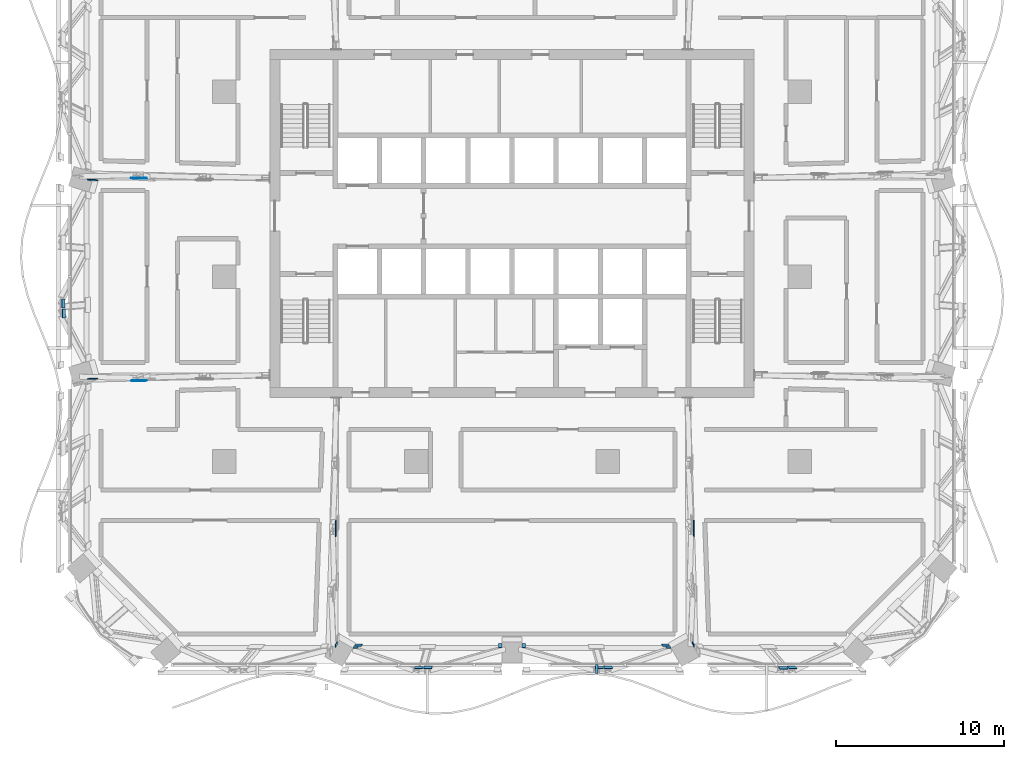
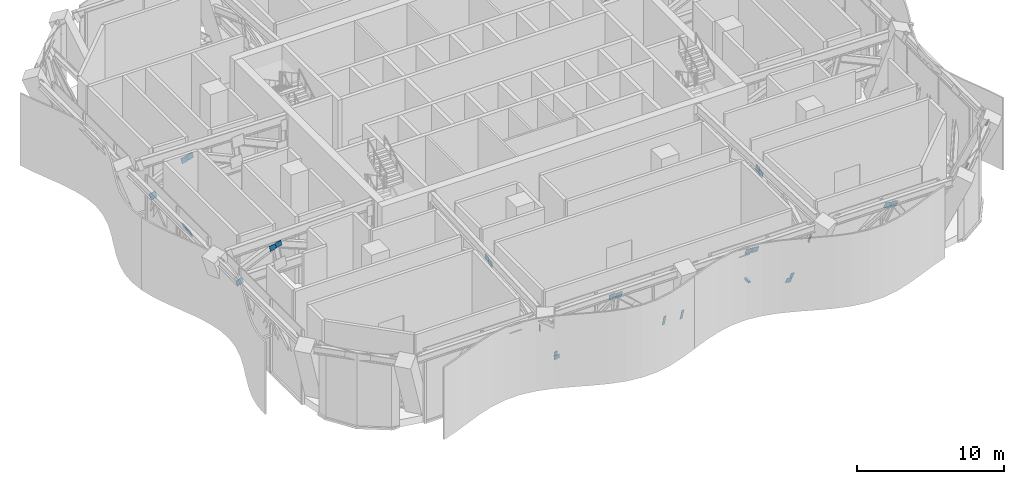
# One storey, part 17 of 26: 27 discrete accessories.
"""IFC4 building model written with IfcOpenShell, lengths in metres."""

from ifc_helpers import new_model, si_unit, direction, frame, origin, origin_2d, place, context, subcontext, project, spatial, rectangle, extrude, material, layer, layer_set, type_object, element, save


model = new_model("IFC4")

# Units and contexts
model_context = context("Model", 3, precision=1e-05, world=origin(), true_north=direction((0.0, 1.0)))
body_context = subcontext(model_context, "Body", "Model", "MODEL_VIEW")
ifc_project = project(units=[si_unit("LENGTHUNIT", "METRE"), si_unit("AREAUNIT", "SQUARE_METRE"), si_unit("VOLUMEUNIT", "CUBIC_METRE"), si_unit("PLANEANGLEUNIT", "RADIAN"), si_unit("MASSUNIT", "GRAM", prefix="KILO")], contexts=[model_context])

# Site, building, storey
site_placement = place(None, origin())
site = spatial("IfcSite", under=ifc_project, at=site_placement, CompositionType="ELEMENT")
building_placement = place(site_placement, origin())
building = spatial("IfcBuilding", under=site, at=building_placement, Name="Mopane Tessera Tower", CompositionType="ELEMENT")
storey_placement = place(building_placement, frame((0.0, 0.0, 205.0)))
storey = spatial("IfcBuildingStorey", under=building, at=storey_placement, Name="L43", CompositionType="ELEMENT", Elevation=205.0)

# Discrete accessories
ifc_material_1 = material(Name="Stainless steel S316", Category="steel")
discrete_accessory_type_1 = type_object("IfcDiscreteAccessoryType", Name="Louvre bracket 150 x 150", PredefinedType="BRACKET", material=ifc_material_1)
discrete_accessory_1_placement = place(storey_placement, frame((5.050048828125, -23.339111328125, 2.51513671875), z_axis=(0.0, 0.0, 1.0), x_axis=(0.0, -1.0, 0.0)))
element("IfcDiscreteAccessory", 1, at=discrete_accessory_1_placement, inside=storey, type_object=discrete_accessory_type_1, Name="e:lv:L43:S:1:br0", PredefinedType="BRACKET", context=body_context, shape_type="SweptSolid", body=[
    extrude(rectangle(XDim=0.558349609375, YDim=0.14990234375, at=origin_2d()), origin(), (0.0, 0.0, 1.0), 0.14990234375),
])
ifc_material_2 = material(Name="Structural steel S460", Category="steel")
ifc_layer = layer(ifc_material_2, 0.030029296875)
ifc_layer_set = layer_set([ifc_layer], Name="Structural steel S460")
discrete_accessory_type_2 = type_object("IfcDiscreteAccessoryType", Name="Truss node plate 30 mm", PredefinedType="BRACKET", material=ifc_layer_set)
discrete_accessory_2_placement = place(storey_placement, frame((-21.903564453125, 5.8427734375, 4.43115234375), z_axis=(-0.199509091493, 0.058124695947, 0.978170558815), x_axis=(-0.014618628734, -0.998304643155, 0.056339463513)))
element("IfcDiscreteAccessory", 2, at=discrete_accessory_2_placement, inside=storey, type_object=discrete_accessory_type_2, Name="Truss node plate s ot L43 W1 4", PredefinedType="BRACKET", context=body_context, shape_type="SweptSolid", body=[
    extrude(rectangle(XDim=0.030029296875, YDim=0.4560546875, at=origin_2d()), origin(), (0.0, 0.0, 1.0), 0.46630859375),
])
discrete_accessory_3_placement = place(storey_placement, frame((-22.36669921875, 5.843505859375, 4.299072265625), z_axis=(-0.211975880606, 0.062130861557, 0.975297894022), x_axis=(-0.017730030888, -0.998057266284, 0.059727206717)))
element("IfcDiscreteAccessory", 3, at=discrete_accessory_3_placement, inside=storey, type_object=discrete_accessory_type_2, Name="Truss node plate s ot L43 W1 6", PredefinedType="BRACKET", context=body_context, shape_type="SweptSolid", body=[
    extrude(rectangle(XDim=0.030029296875, YDim=0.4560546875, at=origin_2d()), origin(), (0.0, 0.0, 1.0), 0.467529296875),
])
discrete_accessory_4_placement = place(storey_placement, frame((-24.858154296875, 5.7177734375, 2.251708984375), z_axis=(-0.287881919859, 0.083946550323, 0.953979547426), x_axis=(-0.027359548398, -0.996465009837, 0.07942883155)))
element("IfcDiscreteAccessory", 4, at=discrete_accessory_4_placement, inside=storey, type_object=discrete_accessory_type_2, Name="Truss node plate s ot L43 W1 7", PredefinedType="BRACKET", context=body_context, shape_type="SweptSolid", body=[
    extrude(rectangle(XDim=0.030029296875, YDim=0.489990234375, at=origin_2d()), origin(), (0.0, 0.0, 1.0), 0.53515625),
])
discrete_accessory_5_placement = place(storey_placement, frame((-21.902587890625, -6.17578125, 4.43115234375), z_axis=(-0.199006209983, -0.058130761337, 0.978272632232), x_axis=(0.015297414966, -0.998301824615, -0.056209038996)))
element("IfcDiscreteAccessory", 5, at=discrete_accessory_5_placement, inside=storey, type_object=discrete_accessory_type_2, Name="Truss node plate s ot L43 W2 4", PredefinedType="BRACKET", context=body_context, shape_type="SweptSolid", body=[
    extrude(rectangle(XDim=0.030029296875, YDim=0.4560546875, at=origin_2d()), origin(), (0.0, 0.0, 1.0), 0.466064453125),
])
discrete_accessory_6_placement = place(storey_placement, frame((-22.36572265625, -6.176513671875, 4.299072265625), z_axis=(-0.211477150084, -0.062137730519, 0.9754057194), x_axis=(0.018367086982, -0.998053449745, -0.059598335274)))
element("IfcDiscreteAccessory", 6, at=discrete_accessory_6_placement, inside=storey, type_object=discrete_accessory_type_2, Name="Truss node plate s ot L43 W2 6", PredefinedType="BRACKET", context=body_context, shape_type="SweptSolid", body=[
    extrude(rectangle(XDim=0.030029296875, YDim=0.4560546875, at=origin_2d()), origin(), (0.0, 0.0, 1.0), 0.467529296875),
])
discrete_accessory_7_placement = place(storey_placement, frame((-24.85693359375, -6.05078125, 2.251708984375), z_axis=(-0.287881919859, -0.083946550323, 0.953979547426), x_axis=(0.027359548398, -0.996465009837, -0.07942883155)))
element("IfcDiscreteAccessory", 7, at=discrete_accessory_7_placement, inside=storey, type_object=discrete_accessory_type_2, Name="Truss node plate s ot L43 W2 7", PredefinedType="BRACKET", context=body_context, shape_type="SweptSolid", body=[
    extrude(rectangle(XDim=0.030029296875, YDim=0.489990234375, at=origin_2d()), origin(), (0.0, 0.0, 1.0), 0.53515625),
])
discrete_accessory_8_placement = place(storey_placement, frame((-10.46484375, -14.716064453125, 4.427734375), z_axis=(-0.07687495989, -0.134923398991, 0.987869382533), x_axis=(0.99703602736, -0.01344983422, 0.075751317519)))
element("IfcDiscreteAccessory", 8, at=discrete_accessory_8_placement, inside=storey, type_object=discrete_accessory_type_2, Name="Truss node plate s ot L43 S1 4", PredefinedType="BRACKET", context=body_context, shape_type="SweptSolid", body=[
    extrude(rectangle(XDim=0.030029296875, YDim=0.4609375, at=origin_2d()), origin(), (0.0, 0.0, 1.0), 0.466796875),
])
discrete_accessory_9_placement = place(storey_placement, frame((-10.466064453125, -15.185791015625, 4.300048828125), z_axis=(-0.08146257416, -0.14255950478, 0.986428221721), x_axis=(0.99666683996, -0.015987074893, 0.079997647214)))
element("IfcDiscreteAccessory", 9, at=discrete_accessory_9_placement, inside=storey, type_object=discrete_accessory_type_2, Name="Truss node plate s ot L43 S1 6", PredefinedType="BRACKET", context=body_context, shape_type="SweptSolid", body=[
    extrude(rectangle(XDim=0.030029296875, YDim=0.4609375, at=origin_2d()), origin(), (0.0, 0.0, 1.0), 0.467529296875),
])
discrete_accessory_10_placement = place(storey_placement, frame((-10.399658203125, -21.794677734375, 2.845703125), z_axis=(-0.148513280488, -0.259809629112, 0.954171243614), x_axis=(0.988900811059, -0.043269471235, 0.142137042132)))
element("IfcDiscreteAccessory", 10, at=discrete_accessory_10_placement, inside=storey, type_object=discrete_accessory_type_2, Name="Truss node plate s ot L43 S1 11", PredefinedType="BRACKET", context=body_context, shape_type="SweptSolid", body=[
    extrude(rectangle(XDim=0.030029296875, YDim=0.1494140625, at=origin_2d()), origin(), (0.0, 0.0, 1.0), 0.688720703125),
])
discrete_accessory_11_placement = place(storey_placement, frame((10.7978515625, -14.714599609375, 4.427734375), z_axis=(0.07687495989, -0.134923398991, 0.987869382533), x_axis=(0.99703602736, 0.01344983422, -0.075751317519)))
element("IfcDiscreteAccessory", 11, at=discrete_accessory_11_placement, inside=storey, type_object=discrete_accessory_type_2, Name="Truss node plate s ot L43 S3 4", PredefinedType="BRACKET", context=body_context, shape_type="SweptSolid", body=[
    extrude(rectangle(XDim=0.030029296875, YDim=0.4609375, at=origin_2d()), origin(), (0.0, 0.0, 1.0), 0.466796875),
])
discrete_accessory_12_placement = place(storey_placement, frame((10.799072265625, -15.184326171875, 4.300048828125), z_axis=(0.081456499333, -0.143071030879, 0.986354661792), x_axis=(0.996673030238, 0.014449883327, -0.080212665265)))
element("IfcDiscreteAccessory", 12, at=discrete_accessory_12_placement, inside=storey, type_object=discrete_accessory_type_2, Name="Truss node plate s ot L43 S3 6", PredefinedType="BRACKET", context=body_context, shape_type="SweptSolid", body=[
    extrude(rectangle(XDim=0.030029296875, YDim=0.4609375, at=origin_2d()), origin(), (0.0, 0.0, 1.0), 0.467529296875),
])
discrete_accessory_13_placement = place(storey_placement, frame((10.732666015625, -21.793212890625, 2.845703125), z_axis=(0.148513280488, -0.259809629112, 0.954171243614), x_axis=(0.988900811059, 0.043269471235, -0.142137042132)))
element("IfcDiscreteAccessory", 13, at=discrete_accessory_13_placement, inside=storey, type_object=discrete_accessory_type_2, Name="Truss node plate s ot L43 S3 11", PredefinedType="BRACKET", context=body_context, shape_type="SweptSolid", body=[
    extrude(rectangle(XDim=0.030029296875, YDim=0.1494140625, at=origin_2d()), origin(), (0.0, 0.0, 1.0), 0.688720703125),
])
discrete_accessory_14_placement = place(storey_placement, frame((-9.272705078125, -21.988037109375, 0.532958984375), z_axis=(-0.144358446564, -0.276732418319, 0.950042003049), x_axis=(-0.040312192302, 0.960946236214, 0.273783232246)))
element("IfcDiscreteAccessory", 14, at=discrete_accessory_14_placement, inside=storey, type_object=discrete_accessory_type_2, Name="Truss node plate s bt L43 S1-S2 0", PredefinedType="BRACKET", context=body_context, shape_type="SweptSolid", body=[
    extrude(rectangle(XDim=0.030029296875, YDim=0.260498046875, at=origin_2d()), origin(), (0.0, 0.0, 1.0), 0.4482421875),
])
discrete_accessory_15_placement = place(storey_placement, frame((-9.09228515625, -21.86083984375, 0.09716796875), z_axis=(-0.142202388012, -0.277321898461, 0.950195267025), x_axis=(-0.041689703913, 0.960776859261, 0.274171105873)))
element("IfcDiscreteAccessory", 15, at=discrete_accessory_15_placement, inside=storey, type_object=discrete_accessory_type_2, Name="Truss node plate s bt L43 S1-S2 2", PredefinedType="BRACKET", context=body_context, shape_type="SweptSolid", body=[
    extrude(rectangle(XDim=0.030029296875, YDim=0.42578125, at=origin_2d()), origin(), (0.0, 0.0, 1.0), 0.447998046875),
])
discrete_accessory_16_placement = place(storey_placement, frame((-5.5234375, -23.19482421875, 4.670654296875), z_axis=(-0.081038804317, -0.279133659314, 0.956826584305), x_axis=(-0.023372971724, 0.960252242272, 0.2781534386)))
element("IfcDiscreteAccessory", 16, at=discrete_accessory_16_placement, inside=storey, type_object=discrete_accessory_type_2, Name="Truss node plate s bt L43 S1-S2 3", PredefinedType="BRACKET", context=body_context, shape_type="SweptSolid", body=[
    extrude(rectangle(XDim=0.030029296875, YDim=0.492919921875, at=origin_2d()), origin(), (0.0, 0.0, 1.0), 0.51513671875),
])
discrete_accessory_17_placement = place(storey_placement, frame((-4.979736328125, -23.176513671875, 4.607666015625), z_axis=(-0.073037304086, -0.27886970651, 0.957547512661), x_axis=(-0.021169584243, 0.960328946418, 0.278065034433)))
element("IfcDiscreteAccessory", 17, at=discrete_accessory_17_placement, inside=storey, type_object=discrete_accessory_type_2, Name="Truss node plate s bt L43 S1-S2 5", PredefinedType="BRACKET", context=body_context, shape_type="SweptSolid", body=[
    extrude(rectangle(XDim=0.030029296875, YDim=0.492919921875, at=origin_2d()), origin(), (0.0, 0.0, 1.0), 0.514892578125),
])
for number, where, z_axis, x_axis, name in (
    (18, (-0.694580078125, -21.826416015625, -0.0205078125), (-0.010937301217, -0.28020324071, 0.959878387785), (-0.003471810624, 0.95994066068, 0.280181859698), "Truss node plate s bt L43 S1-S2 6"),
    (19, (0.694580078125, -21.826416015625, -0.0205078125), (0.010937301217, -0.28020324071, 0.959878387785), (0.003471810624, 0.95994066068, 0.280181859698), "Truss node plate s bt L43 S2-S3 0"),
):
    element("IfcDiscreteAccessory", number, at=place(storey_placement, frame(where, z_axis=z_axis, x_axis=x_axis)), inside=storey, type_object=discrete_accessory_type_2, Name=name, PredefinedType="BRACKET", context=body_context, shape_type="SweptSolid", body=[
        extrude(rectangle(XDim=0.030029296875, YDim=0.1875, at=origin_2d()), origin(), (0.0, 0.0, 1.0), 0.9375),
    ])
discrete_accessory_18_placement = place(storey_placement, frame((5.164306640625, -23.19482421875, 4.670654296875), z_axis=(0.0753854014, -0.279257870594, 0.957252361171), x_axis=(0.023197325212, 0.96021536019, 0.27829542964)))
element("IfcDiscreteAccessory", 20, at=discrete_accessory_18_placement, inside=storey, type_object=discrete_accessory_type_2, Name="Truss node plate s bt L43 S2-S3 2", PredefinedType="BRACKET", context=body_context, shape_type="SweptSolid", body=[
    extrude(rectangle(XDim=0.030029296875, YDim=0.492919921875, at=origin_2d()), origin(), (0.0, 0.0, 1.0), 0.514892578125),
])
discrete_accessory_19_placement = place(storey_placement, frame((5.697509765625, -23.176513671875, 4.607666015625), z_axis=(0.083873691166, -0.278631245228, 0.956728714481), x_axis=(0.02298563405, 0.960397282747, 0.277684569108)))
element("IfcDiscreteAccessory", 21, at=discrete_accessory_19_placement, inside=storey, type_object=discrete_accessory_type_2, Name="Truss node plate s bt L43 S2-S3 4", PredefinedType="BRACKET", context=body_context, shape_type="SweptSolid", body=[
    extrude(rectangle(XDim=0.030029296875, YDim=0.492919921875, at=origin_2d()), origin(), (0.0, 0.0, 1.0), 0.51513671875),
])
discrete_accessory_20_placement = place(storey_placement, frame((9.09228515625, -21.86083984375, 0.09716796875), z_axis=(0.142202388012, -0.277321898461, 0.950195267025), x_axis=(0.041689703913, 0.960776859261, 0.274171105873)))
element("IfcDiscreteAccessory", 22, at=discrete_accessory_20_placement, inside=storey, type_object=discrete_accessory_type_2, Name="Truss node plate s bt L43 S2-S3 5", PredefinedType="BRACKET", context=body_context, shape_type="SweptSolid", body=[
    extrude(rectangle(XDim=0.030029296875, YDim=0.42578125, at=origin_2d()), origin(), (0.0, 0.0, 1.0), 0.447998046875),
])
discrete_accessory_21_placement = place(storey_placement, frame((9.272705078125, -21.988037109375, 0.532958984375), z_axis=(0.144358446564, -0.276732418319, 0.950042003049), x_axis=(0.040312192302, 0.960946236214, 0.273783232246)))
element("IfcDiscreteAccessory", 23, at=discrete_accessory_21_placement, inside=storey, type_object=discrete_accessory_type_2, Name="Truss node plate s bt L43 S2-S3 7", PredefinedType="BRACKET", context=body_context, shape_type="SweptSolid", body=[
    extrude(rectangle(XDim=0.030029296875, YDim=0.260498046875, at=origin_2d()), origin(), (0.0, 0.0, 1.0), 0.4482421875),
])
discrete_accessory_22_placement = place(storey_placement, frame((16.05908203125, -23.194580078125, 4.669677734375), z_axis=(0.229820568853, -0.272312244605, 0.934359966806), x_axis=(0.064856203352, 0.962208921148, 0.264476208664)))
element("IfcDiscreteAccessory", 24, at=discrete_accessory_22_placement, inside=storey, type_object=discrete_accessory_type_2, Name="Truss node plate s bt L43 S3-S4 2", PredefinedType="BRACKET", context=body_context, shape_type="SweptSolid", body=[
    extrude(rectangle(XDim=0.030029296875, YDim=0.499267578125, at=origin_2d()), origin(), (0.0, 0.0, 1.0), 0.534423828125),
])
discrete_accessory_23_placement = place(storey_placement, frame((16.58935546875, -23.1767578125, 4.609130859375), z_axis=(0.237258672111, -0.271934939574, 0.932609088068), x_axis=(0.06691810985, 0.962315630467, 0.263572748844)))
element("IfcDiscreteAccessory", 25, at=discrete_accessory_23_placement, inside=storey, type_object=discrete_accessory_type_2, Name="Truss node plate s bt L43 S3-S4 4", PredefinedType="BRACKET", context=body_context, shape_type="SweptSolid", body=[
    extrude(rectangle(XDim=0.030029296875, YDim=0.499267578125, at=origin_2d()), origin(), (0.0, 0.0, 1.0), 0.53515625),
])
discrete_accessory_24_placement = place(storey_placement, frame((-26.588623046875, -1.60205078125, 4.668212890625), z_axis=(-0.315878299054, -0.024066918023, 0.948494429949), x_axis=(0.948799704366, -0.008165801067, 0.315772767489)))
element("IfcDiscreteAccessory", 26, at=discrete_accessory_24_placement, inside=storey, type_object=discrete_accessory_type_2, Name="Truss node plate s bt L43 W1-W2 4", PredefinedType="BRACKET", context=body_context, shape_type="SweptSolid", body=[
    extrude(rectangle(XDim=0.030029296875, YDim=0.538818359375, at=origin_2d()), origin(), (0.0, 0.0, 1.0), 0.568115234375),
])
discrete_accessory_25_placement = place(storey_placement, frame((-26.57177734375, -2.18994140625, 4.6181640625), z_axis=(-0.316183583625, -0.033078989048, 0.948121153614), x_axis=(0.948698003775, -0.010816370887, 0.315998581885)))
element("IfcDiscreteAccessory", 27, at=discrete_accessory_25_placement, inside=storey, type_object=discrete_accessory_type_2, Name="Truss node plate s bt L43 W1-W2 6", PredefinedType="BRACKET", context=body_context, shape_type="SweptSolid", body=[
    extrude(rectangle(XDim=0.030029296875, YDim=0.538818359375, at=origin_2d()), origin(), (0.0, 0.0, 1.0), 0.568359375),
])

save(model, "model.ifc")
